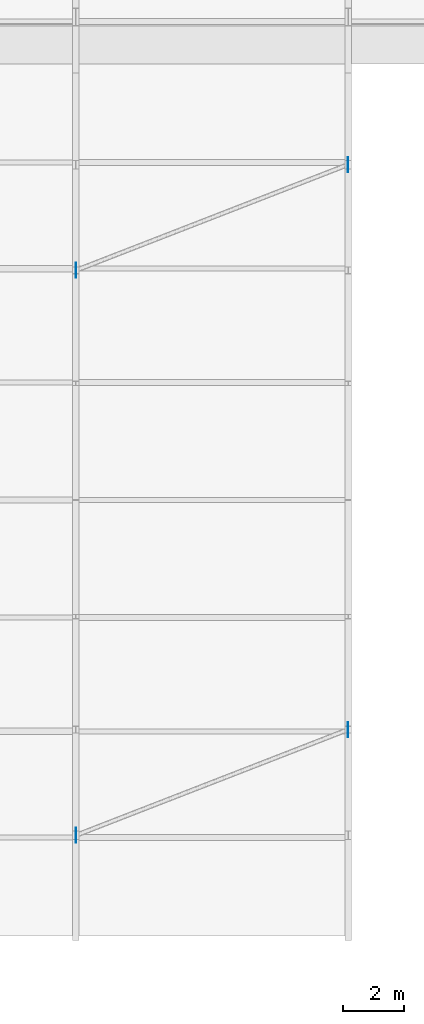
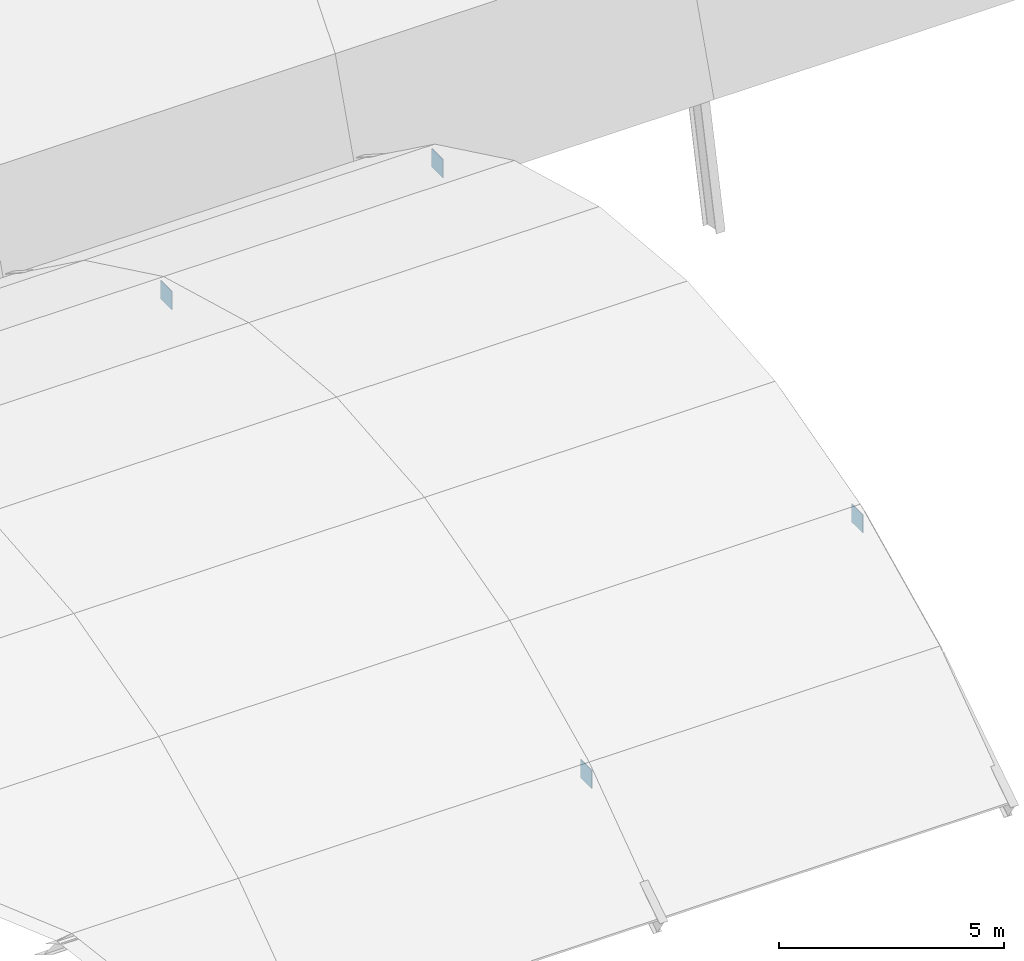
# One storey, part 9 of 15: 4 plates.
"""IFC4 building model written with IfcOpenShell, lengths in metres."""

from ifc_helpers import new_model, si_unit, direction, frame, origin, origin_2d, place, context, subcontext, project, spatial, rectangle, extrude, material, layer, layer_set, type_object, element, save


model = new_model("IFC4")

# Units and contexts
model_context = context("Model", 3, precision=1e-05, world=origin(), true_north=direction((0.0, 1.0)))
body_context = subcontext(model_context, "Body", "Model", "MODEL_VIEW")
ifc_project = project(units=[si_unit("LENGTHUNIT", "METRE"), si_unit("AREAUNIT", "SQUARE_METRE"), si_unit("VOLUMEUNIT", "CUBIC_METRE"), si_unit("PLANEANGLEUNIT", "RADIAN"), si_unit("MASSUNIT", "GRAM", prefix="KILO")], contexts=[model_context])

# Site, building, storey
site_placement = place(None, origin())
site = spatial("IfcSite", under=ifc_project, at=site_placement, CompositionType="ELEMENT")
building_placement = place(site_placement, origin())
building = spatial("IfcBuilding", under=site, at=building_placement, Name="Cendralis Terraced Arcade", CompositionType="ELEMENT")
storey_placement = place(building_placement, frame((0.0, 0.0, 34.199951171875)))
storey = spatial("IfcBuildingStorey", under=building, at=storey_placement, Name="RF", CompositionType="ELEMENT", Elevation=34.199951171875)

# Plates
ifc_material = material(Name="Steel ASTM A572 Grade 50", Category="steel")
ifc_layer = layer(ifc_material, 0.01806640625, Name="PLT-GUS-500x500x18")
ifc_layer_set = layer_set([ifc_layer], Name="Steel ASTM A572 Grade 50")
plate_type = type_object("IfcPlateType", Name="PLT-GUS-500x500x18", PredefinedType="SHEET", material=ifc_layer_set)
for number, where, z_axis, x_axis, name in (
    (1, (121.215087890625, 12.927978515625, -12.6015625), (0.0, 0.0, 1.0), (1.0, 0.0, 0.0), "Gourmet Food Hall Wind Brace End Node Plate B07-K2-1"),
    (2, (130.18505859375, 16.415283203125, -10.923828125), (0.0, 0.0, 1.0), (1.0, 0.0, 0.0), "Gourmet Food Hall Wind Brace End Node Plate B07-K2-2"),
    (3, (121.215087890625, 31.584716796875, -10.923828125), (0.0, 0.0, 1.0), (1.0, 0.0, 0.0), "Gourmet Food Hall Wind Brace End Node Plate B07-K7-1"),
    (4, (130.18505859375, 35.072021484375, -12.6015625), (0.0, 0.0, 1.0), (1.0, 0.0, 0.0), "Gourmet Food Hall Wind Brace End Node Plate B07-K7-2"),
):
    element("IfcPlate", number, at=place(storey_placement, frame(where, z_axis=z_axis, x_axis=x_axis)), inside=storey, type_object=plate_type, Name=name, PredefinedType="SHEET", context=body_context, shape_type="SweptSolid", body=[
        extrude(rectangle(XDim=0.01806640625, YDim=0.5, at=origin_2d()), origin(), (0.0, 0.0, 1.0), 0.5),
    ])

save(model, "model.ifc")
